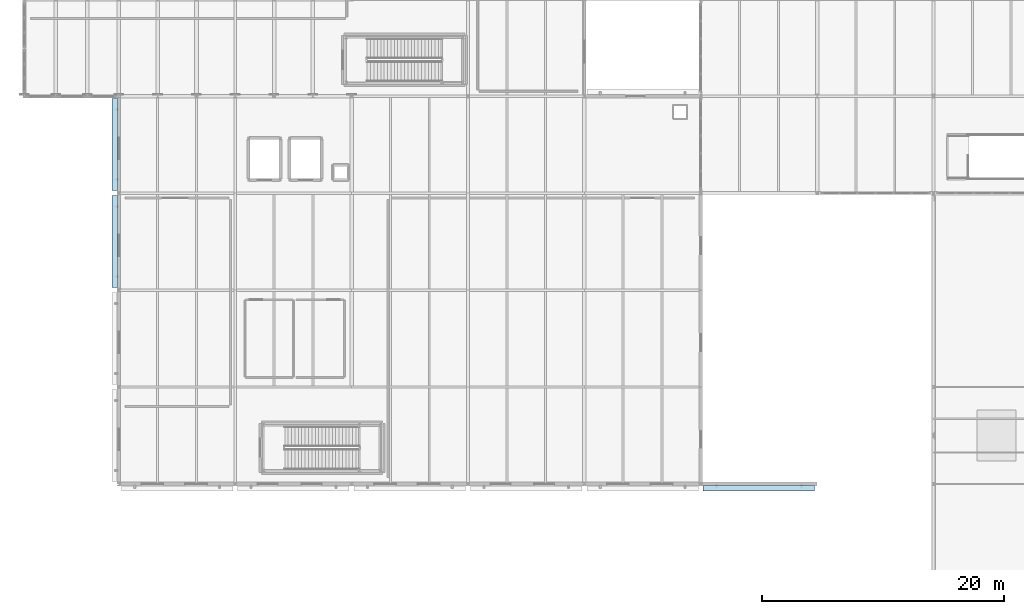
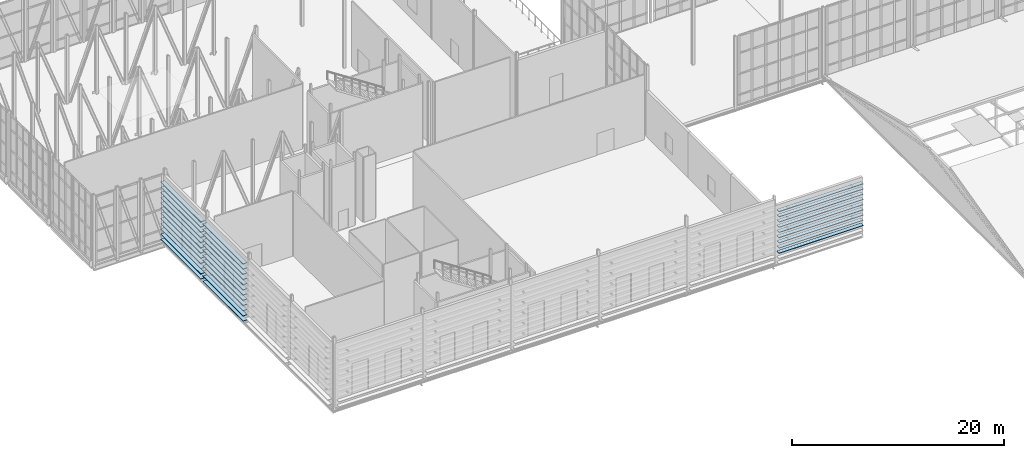
# One storey, part 47 of 73: 33 plates.
"""IFC4 building model written with IfcOpenShell, lengths in metres."""

import ifcopenshell
import ifcopenshell.guid

model = None  # the IFC model being written
_history = None  # IfcOwnerHistory: only IFC2X3 demands one
_inside = {}  # id of a spatial element -> (the spatial element, [elements in it])
_under = {}  # id of a project, library or spatial element -> (it, [spatial elements below it])
_declared = {}  # id of a project -> (the project, [libraries it declares])
_typed = {}  # id of a type object -> (the type object, [elements of that type])
_made_of = {}  # id of a material, layer set ... -> (it, [elements and type objects made of it])


def new_model(schema):
    """Start an empty IFC model of exactly this schema.

    Asked for "IFC4X3", IfcOpenShell would pick the latest addendum, in which some entities
    have other attributes; the version numbers below select the first issue.
    IFC2X3 requires an IfcOwnerHistory on every rooted entity: one is made here for all.
    """
    global model, _history
    if schema == "IFC4X3":
        model = ifcopenshell.file(schema_version=(4, 3, 0, 0))
    else:
        model = ifcopenshell.file(schema=schema)
    _inside.clear()
    _under.clear()
    _declared.clear()
    _typed.clear()
    _made_of.clear()
    _history = None
    if model.schema == "IFC2X3":
        org = make("IfcOrganization", Name="unknown")
        user = make(
            "IfcPersonAndOrganization",
            ThePerson=make("IfcPerson", FamilyName="unknown"),
            TheOrganization=org,
        )
        app = make(
            "IfcApplication",
            ApplicationDeveloper=org,
            Version="unknown",
            ApplicationFullName="unknown",
            ApplicationIdentifier="unknown",
        )
        _history = make(
            "IfcOwnerHistory",
            OwningUser=user,
            OwningApplication=app,
            ChangeAction="ADDED",
            CreationDate=0,
        )
    return model


def make(cls, **values):
    """One entity of the class cls with the attributes given. An attribute that is None is left unset."""
    return model.create_entity(
        cls, **{name: value for name, value in values.items() if value is not None}
    )


def rooted(cls, **values):
    """An entity with a GlobalId (a new one), such as an element, a storey or a relation."""
    return make(cls, GlobalId=ifcopenshell.guid.new(), OwnerHistory=_history, **values)


def si_unit(unit_type, name, prefix=None):
    """IfcSIUnit, for example si_unit("LENGTHUNIT", "METRE", prefix="MILLI")."""
    return make("IfcSIUnit", UnitType=unit_type, Prefix=prefix, Name=name)


def assignment(units):
    """IfcUnitAssignment: the units of a project."""
    return None if units is None else make("IfcUnitAssignment", Units=units)


def point(xyz):
    """IfcCartesianPoint."""
    return None if xyz is None else make("IfcCartesianPoint", Coordinates=xyz)


def direction(xyz):
    """IfcDirection."""
    return None if xyz is None else make("IfcDirection", DirectionRatios=xyz)


def frame(location, z_axis=None, x_axis=None):
    """IfcAxis2Placement3D, a coordinate frame: its origin and axes. An axis left out is left unset."""
    return make(
        "IfcAxis2Placement3D",
        Location=point(location),
        Axis=direction(z_axis),
        RefDirection=direction(x_axis),
    )


def frame_2d(location, x_axis=None):
    """IfcAxis2Placement2D, a coordinate frame in the plane: its origin and x axis."""
    return make(
        "IfcAxis2Placement2D", Location=point(location), RefDirection=direction(x_axis)
    )


def origin():
    """The frame at (0, 0, 0) with its axes left unset."""
    return frame((0.0, 0.0, 0.0))


def origin_2d():
    """The frame at (0, 0) in the plane with its x axis left unset."""
    return frame_2d((0.0, 0.0))


def place(relative_to, where):
    """IfcLocalPlacement: puts the frame where relative to a parent placement (None: the world)."""
    return make(
        "IfcLocalPlacement", PlacementRelTo=relative_to, RelativePlacement=where
    )


def context(
    kind, dimensions, precision=None, world=None, true_north=None, identifier=None
):
    """IfcGeometricRepresentationContext, for example the 3D "Model" context."""
    return make(
        "IfcGeometricRepresentationContext",
        ContextIdentifier=identifier,
        ContextType=kind,
        CoordinateSpaceDimension=dimensions,
        Precision=precision,
        WorldCoordinateSystem=world,
        TrueNorth=true_north,
    )


def subcontext(parent, identifier, kind, view, scale=None):
    """IfcGeometricRepresentationSubContext, for example "Body" below "Model"."""
    return make(
        "IfcGeometricRepresentationSubContext",
        ContextIdentifier=identifier,
        ContextType=kind,
        ParentContext=parent,
        TargetScale=scale,
        TargetView=view,
    )


def project(units=None, contexts=None):
    """IfcProject with its units and contexts."""
    return rooted(
        "IfcProject",
        Name="project",
        RepresentationContexts=contexts,
        UnitsInContext=assignment(units),
    )


def spatial(cls, under=None, at=None, **own):
    """A site, building, storey or space (cls), placed at a placement, below another one or the project."""
    s = rooted(cls, ObjectPlacement=at, **own)
    if under is not None:
        _under.setdefault(under.id(), (under, []))[1].append(s)
    return s


def profile(cls, at=None, kind="AREA", **sizes):
    """A parametric profile (cls). Its sizes go by their IFC names, for example OverallWidth=200.0."""
    return make(cls, ProfileType=kind, Position=at, **sizes)


def rectangle(**sizes):
    """IfcRectangleProfileDef."""
    return profile("IfcRectangleProfileDef", **sizes)


def extrude(swept, where, along, depth):
    """IfcExtrudedAreaSolid: the profile swept, set in the frame where, extruded along a direction by depth."""
    return make(
        "IfcExtrudedAreaSolid",
        SweptArea=swept,
        Position=where,
        ExtrudedDirection=direction(along),
        Depth=depth,
    )


def shape(context_of_items, identifier, shape_type, items):
    """IfcShapeRepresentation: the items that make up one representation, for example the "Body"."""
    return make(
        "IfcShapeRepresentation",
        ContextOfItems=context_of_items,
        RepresentationIdentifier=identifier,
        RepresentationType=shape_type,
        Items=items,
    )


def material(Name=None, Category=None):
    """IfcMaterial."""
    return make("IfcMaterial", Name=Name, Category=Category)


def layer(
    of_material, thickness, ventilated=None, Name=None, Category=None, Priority=None
):
    """IfcMaterialLayer: one layer of a wall or slab, of a material (None: an air gap)."""
    return make(
        "IfcMaterialLayer",
        Material=of_material,
        LayerThickness=thickness,
        IsVentilated=ventilated,
        Name=Name,
        Category=Category,
        Priority=Priority,
    )


def layer_set(layers, Name=None):
    """IfcMaterialLayerSet."""
    return make("IfcMaterialLayerSet", MaterialLayers=layers, LayerSetName=Name)


def made_of(thing, what):
    """Note that an element or type object is made of a material, layer set ...; save() writes the relation."""
    if what is not None:
        _made_of.setdefault(what.id(), (what, []))[1].append(thing)
    return thing


def type_object(cls, material=None, **own):
    """A type object (cls), such as IfcWallType, which elements share."""
    return made_of(rooted(cls, **own), material)


def element(
    cls,
    number,
    at=None,
    inside=None,
    cuts=None,
    type_object=None,
    material=None,
    context=None,
    identifier="Body",
    shape_type=None,
    held_by="IfcProductDefinitionShape",
    body=None,
    shapes=None,
    **own,
):
    """One element of the class cls, such as IfcWall. Its Tag is "e" and its number.

    at: its placement. inside: the storey or other place that contains it. cuts: it is an
    opening in that element (IfcRelVoidsElement). A single representation is given by context,
    identifier, shape_type and body (its items); several are given by shapes. held_by: the class
    of the entity that holds the representations. save() writes the other relations.
    """
    e = rooted(cls, Tag="e%d" % number, ObjectPlacement=at, **own)
    if body is not None:
        shapes = [shape(context, identifier, shape_type, body)]
    if shapes is not None:
        e.Representation = make(held_by, Representations=shapes)
    if inside is not None:
        _inside.setdefault(inside.id(), (inside, []))[1].append(e)
    if cuts is not None:
        rooted(
            "IfcRelVoidsElement", RelatingBuildingElement=cuts, RelatedOpeningElement=e
        )
    if type_object is not None:
        _typed.setdefault(type_object.id(), (type_object, []))[1].append(e)
    return made_of(e, material)


def aggregate(whole, parts):
    """IfcRelAggregates: a whole, such as a stair, and the parts it consists of."""
    return rooted("IfcRelAggregates", RelatingObject=whole, RelatedObjects=parts)


def save(model, path):
    """Write the relations noted so far, then the file.

    IfcRelAggregates (storeys below a building ...), IfcRelContainedInSpatialStructure (elements
    in a storey), IfcRelDefinesByType, IfcRelAssociatesMaterial and IfcRelDeclares: one each for
    every whole, place, type object, material and project.
    """
    for whole, parts in _under.values():
        aggregate(whole, parts)
    for where, things in _inside.values():
        rooted(
            "IfcRelContainedInSpatialStructure",
            RelatedElements=things,
            RelatingStructure=where,
        )
    for kind, things in _typed.values():
        rooted("IfcRelDefinesByType", RelatedObjects=things, RelatingType=kind)
    for what, things in _made_of.values():
        rooted("IfcRelAssociatesMaterial", RelatedObjects=things, RelatingMaterial=what)
    for by, libraries in _declared.values():
        rooted("IfcRelDeclares", RelatingContext=by, RelatedDefinitions=libraries)
    model.write(path)


model = new_model("IFC4")

# Units and contexts
model_context = context("Model", 3, precision=1e-05, world=origin(), true_north=direction((0.0, 1.0)))
body_context = subcontext(model_context, "Body", "Model", "MODEL_VIEW")
ifc_project = project(units=[si_unit("LENGTHUNIT", "METRE"), si_unit("AREAUNIT", "SQUARE_METRE"), si_unit("VOLUMEUNIT", "CUBIC_METRE"), si_unit("PLANEANGLEUNIT", "RADIAN"), si_unit("MASSUNIT", "GRAM", prefix="KILO")], contexts=[model_context])

# Site, building, storey
site_placement = place(None, origin())
site = spatial("IfcSite", under=ifc_project, at=site_placement, CompositionType="ELEMENT")
building_placement = place(site_placement, origin())
building = spatial("IfcBuilding", under=site, at=building_placement, Name="Alderhovde Museum", CompositionType="ELEMENT")
storey_placement = place(building_placement, frame((0.0, 0.0, 17.39990234375)))
storey = spatial("IfcBuildingStorey", under=building, at=storey_placement, Name="L04", CompositionType="ELEMENT", Elevation=17.39990234375)

# Plates
ifc_material = material(Name="Bronze-Anodised Aluminium EN AW-6063-T6", Category="aluminium")
ifc_layer = layer(ifc_material, 0.06494140625)
ifc_layer_set = layer_set([ifc_layer], Name="Bronze-Anodised Aluminium EN AW-6063-T6")
plate_type = type_object("IfcPlateType", Name="LV-BLADE-450", PredefinedType="USERDEFINED", material=ifc_layer_set)
for number, where, z_axis, x_axis, name in (
    (1, (62.39990234375, 47.64501953125, 1.187744140625), (0.0, 0.0, 1.0), (1.0, 0.0, 0.0), "L04 Wrap-Around Horizontal Louvre 7"),
    (2, (62.39990234375, 47.64501953125, 1.78759765625), (0.0, 0.0, 1.0), (1.0, 0.0, 0.0), "L04 Wrap-Around Horizontal Louvre 8"),
    (3, (62.39990234375, 47.64501953125, 2.3876953125), (0.0, 0.0, 1.0), (1.0, 0.0, 0.0), "L04 Wrap-Around Horizontal Louvre 9"),
    (4, (62.39990234375, 47.64501953125, 2.987548828125), (0.0, 0.0, 1.0), (1.0, 0.0, 0.0), "L04 Wrap-Around Horizontal Louvre 10"),
    (5, (62.39990234375, 47.64501953125, 3.587646484375), (0.0, 0.0, 1.0), (1.0, 0.0, 0.0), "L04 Wrap-Around Horizontal Louvre 11"),
    (6, (62.39990234375, 47.64501953125, 4.187744140625), (0.0, 0.0, 1.0), (1.0, 0.0, 0.0), "L04 Wrap-Around Horizontal Louvre 12"),
    (7, (62.39990234375, 47.64501953125, 4.78759765625), (0.0, 0.0, 1.0), (1.0, 0.0, 0.0), "L04 Wrap-Around Horizontal Louvre 13"),
    (8, (62.39990234375, 47.64501953125, 5.3876953125), (0.0, 0.0, 1.0), (1.0, 0.0, 0.0), "L04 Wrap-Around Horizontal Louvre 14"),
    (9, (62.39990234375, 47.64501953125, 5.987548828125), (0.0, 0.0, 1.0), (1.0, 0.0, 0.0), "L04 Wrap-Around Horizontal Louvre 15"),
):
    element("IfcPlate", number, at=place(storey_placement, frame(where, z_axis=z_axis, x_axis=x_axis)), inside=storey, type_object=plate_type, Name=name, ObjectType="LOUVRE BLADE", PredefinedType="USERDEFINED", context=body_context, shape_type="SweptSolid", body=[
        extrude(rectangle(XDim=9.199951171875, YDim=0.449951171875, at=origin_2d()), origin(), (0.0, 0.0, 1.0), 0.06494140625),
    ])
for number, where, z_axis, x_axis, name in (
    (10, (9.2451171875, 68.0, 0.267578125), (0.0, 0.0, 1.0), (0.0, 1.0, 0.0), "L04 Wrap-Around Horizontal Louvre 223"),
    (11, (9.2451171875, 68.0, 0.86767578125), (0.0, 0.0, 1.0), (0.0, 1.0, 0.0), "L04 Wrap-Around Horizontal Louvre 224"),
    (12, (9.2451171875, 68.0, 1.467529296875), (0.0, 0.0, 1.0), (0.0, 1.0, 0.0), "L04 Wrap-Around Horizontal Louvre 225"),
    (13, (9.2451171875, 68.0, 2.067626953125), (0.0, 0.0, 1.0), (0.0, 1.0, 0.0), "L04 Wrap-Around Horizontal Louvre 226"),
    (14, (9.2451171875, 68.0, 2.667724609375), (0.0, 0.0, 1.0), (0.0, 1.0, 0.0), "L04 Wrap-Around Horizontal Louvre 227"),
    (15, (9.2451171875, 68.0, 3.267578125), (0.0, 0.0, 1.0), (0.0, 1.0, 0.0), "L04 Wrap-Around Horizontal Louvre 228"),
    (16, (9.2451171875, 68.0, 3.86767578125), (0.0, 0.0, 1.0), (0.0, 1.0, 0.0), "L04 Wrap-Around Horizontal Louvre 229"),
    (17, (9.2451171875, 68.0, 4.467529296875), (0.0, 0.0, 1.0), (0.0, 1.0, 0.0), "L04 Wrap-Around Horizontal Louvre 230"),
    (18, (9.2451171875, 68.0, 5.067626953125), (0.0, 0.0, 1.0), (0.0, 1.0, 0.0), "L04 Wrap-Around Horizontal Louvre 231"),
    (19, (9.2451171875, 68.0, 5.667724609375), (0.0, 0.0, 1.0), (0.0, 1.0, 0.0), "L04 Wrap-Around Horizontal Louvre 232"),
    (20, (9.2451171875, 68.0, 6.267578125), (0.0, 0.0, 1.0), (0.0, 1.0, 0.0), "L04 Wrap-Around Horizontal Louvre 233"),
    (21, (9.2451171875, 68.0, 6.86767578125), (0.0, 0.0, 1.0), (0.0, 1.0, 0.0), "L04 Wrap-Around Horizontal Louvre 234"),
    (22, (9.2451171875, 76.0, 0.267578125), (0.0, 0.0, 1.0), (0.0, 1.0, 0.0), "L04 Wrap-Around Horizontal Louvre 235"),
    (23, (9.2451171875, 76.0, 0.86767578125), (0.0, 0.0, 1.0), (0.0, 1.0, 0.0), "L04 Wrap-Around Horizontal Louvre 236"),
    (24, (9.2451171875, 76.0, 1.467529296875), (0.0, 0.0, 1.0), (0.0, 1.0, 0.0), "L04 Wrap-Around Horizontal Louvre 237"),
    (25, (9.2451171875, 76.0, 2.067626953125), (0.0, 0.0, 1.0), (0.0, 1.0, 0.0), "L04 Wrap-Around Horizontal Louvre 238"),
    (26, (9.2451171875, 76.0, 2.667724609375), (0.0, 0.0, 1.0), (0.0, 1.0, 0.0), "L04 Wrap-Around Horizontal Louvre 239"),
    (27, (9.2451171875, 76.0, 3.267578125), (0.0, 0.0, 1.0), (0.0, 1.0, 0.0), "L04 Wrap-Around Horizontal Louvre 240"),
    (28, (9.2451171875, 76.0, 3.86767578125), (0.0, 0.0, 1.0), (0.0, 1.0, 0.0), "L04 Wrap-Around Horizontal Louvre 241"),
    (29, (9.2451171875, 76.0, 4.467529296875), (0.0, 0.0, 1.0), (0.0, 1.0, 0.0), "L04 Wrap-Around Horizontal Louvre 242"),
    (30, (9.2451171875, 76.0, 5.067626953125), (0.0, 0.0, 1.0), (0.0, 1.0, 0.0), "L04 Wrap-Around Horizontal Louvre 243"),
    (31, (9.2451171875, 76.0, 5.667724609375), (0.0, 0.0, 1.0), (0.0, 1.0, 0.0), "L04 Wrap-Around Horizontal Louvre 244"),
    (32, (9.2451171875, 76.0, 6.267578125), (0.0, 0.0, 1.0), (0.0, 1.0, 0.0), "L04 Wrap-Around Horizontal Louvre 245"),
    (33, (9.2451171875, 76.0, 6.86767578125), (0.0, 0.0, 1.0), (0.0, 1.0, 0.0), "L04 Wrap-Around Horizontal Louvre 246"),
):
    element("IfcPlate", number, at=place(storey_placement, frame(where, z_axis=z_axis, x_axis=x_axis)), inside=storey, type_object=plate_type, Name=name, ObjectType="LOUVRE BLADE", PredefinedType="USERDEFINED", context=body_context, shape_type="SweptSolid", body=[
        extrude(rectangle(XDim=7.60009765625, YDim=0.449951171875, at=origin_2d()), origin(), (0.0, 0.0, 1.0), 0.06494140625),
    ])

save(model, "model.ifc")
